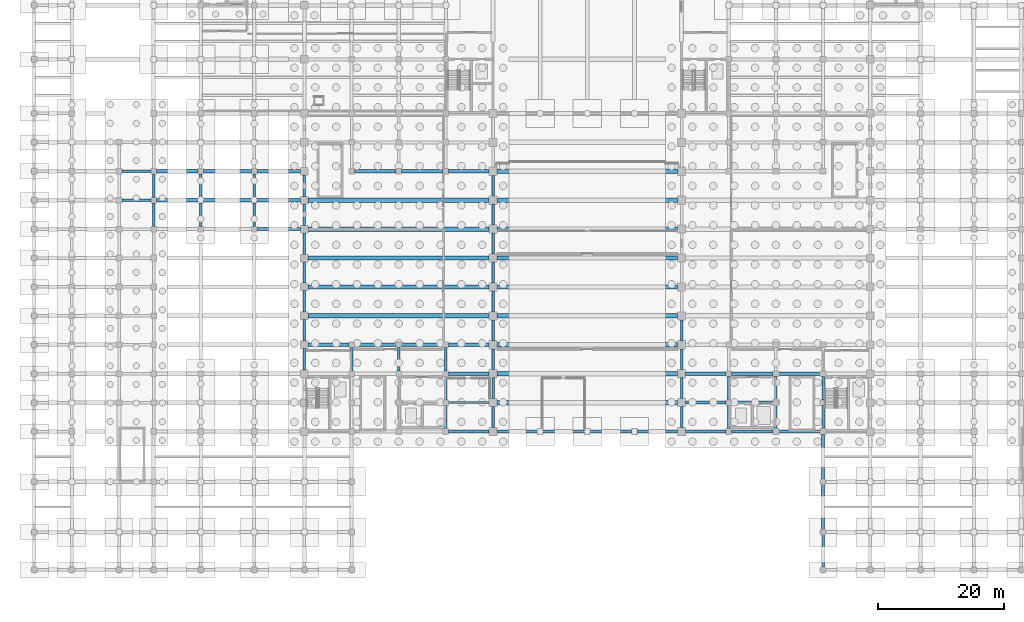
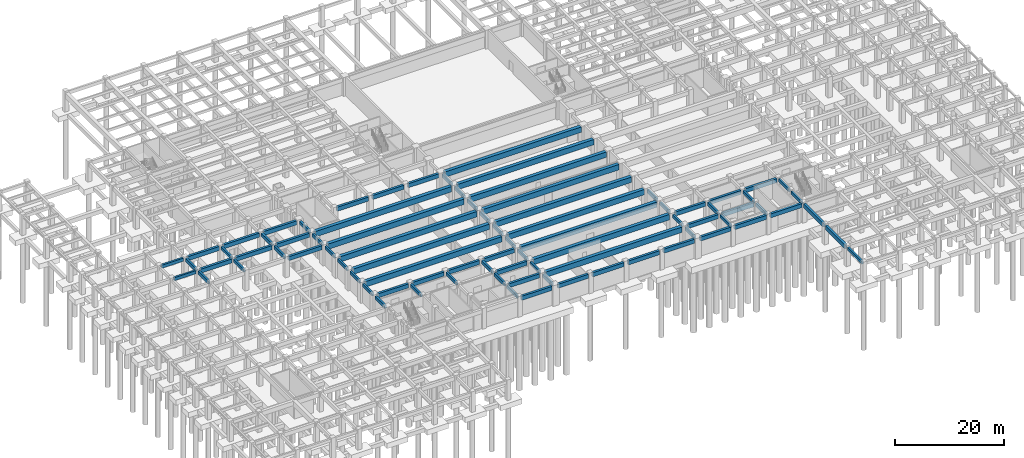
# One storey, part 14 of 32: 85 beams.
"""IFC4 building model written with IfcOpenShell, lengths in metres."""

from ifc_helpers import new_model, si_unit, direction, frame, origin, origin_2d, place, context, subcontext, project, spatial, rectangle, extrude, material, material_profile, profile_set, type_object, element, save


model = new_model("IFC4")

# Units and contexts
model_context = context("Model", 3, precision=1e-05, world=origin(), true_north=direction((0.0, 1.0)))
body_context = subcontext(model_context, "Body", "Model", "MODEL_VIEW")
ifc_project = project(units=[si_unit("LENGTHUNIT", "METRE"), si_unit("AREAUNIT", "SQUARE_METRE"), si_unit("VOLUMEUNIT", "CUBIC_METRE"), si_unit("PLANEANGLEUNIT", "RADIAN"), si_unit("MASSUNIT", "GRAM", prefix="KILO")], contexts=[model_context])

# Site, building, storey
site_placement = place(None, origin())
site = spatial("IfcSite", under=ifc_project, at=site_placement, CompositionType="ELEMENT")
building_placement = place(site_placement, origin())
building = spatial("IfcBuilding", under=site, at=building_placement, Name="Muzn Square Opera House", CompositionType="ELEMENT")
storey_placement = place(building_placement, frame((0.0, 0.0, -4.199951171875)))
storey = spatial("IfcBuildingStorey", under=building, at=storey_placement, Name="B1", CompositionType="ELEMENT", Elevation=-4.199951171875)

# Beams
ifc_material = material(Name="Concrete C40/50", Category="concrete")
ifc_material_profile_1 = material_profile(ifc_material, rectangle(XDim=0.39990234375, YDim=0.699951171875, at=origin_2d()), Name="RCB 400x700", Category="concrete")
ifc_profile_set_1 = profile_set([ifc_material_profile_1], Name="Concrete C40/50")
beam_type_1 = type_object("IfcBeamType", Name="Primary Girder 400x700", PredefinedType="BEAM", material=ifc_profile_set_1)
for number, where, z_axis, x_axis, name in (
    (1, (13.94189453125, 58.800048828125, 3.530029296875), (1.0, 0.0, 0.0), (0.0, 1.0, 0.0), "Primary Girder BM-B1-BM-PG700-139_588_186_588-158"),
    (2, (13.94189453125, 63.39990234375, 3.530029296875), (1.0, 0.0, 0.0), (0.0, 1.0, 0.0), "Primary Girder BM-B1-BM-PG700-139_634_186_634-173"),
):
    element("IfcBeam", number, at=place(storey_placement, frame(where, z_axis=z_axis, x_axis=x_axis)), inside=storey, type_object=beam_type_1, Name=name, PredefinedType="BEAM", context=body_context, shape_type="SweptSolid", body=[
        extrude(rectangle(XDim=0.39990234375, YDim=0.699951171875, at=origin_2d()), origin(), (0.0, 0.0, 1.0), 4.6162109375),
    ])
beam_1_placement = place(storey_placement, frame((19.0, 54.64208984375, 3.530029296875), z_axis=(0.0, 1.0, 0.0), x_axis=(-1.0, 0.0, 0.0)))
element("IfcBeam", 3, at=beam_1_placement, inside=storey, type_object=beam_type_1, Name="Primary Girder BM-B1-BM-PG700-190_546_190_584-343", PredefinedType="BEAM", context=body_context, shape_type="SweptSolid", body=[
    extrude(rectangle(XDim=0.39990234375, YDim=0.699951171875, at=origin_2d()), origin(), (0.0, 0.0, 1.0), 3.7158203125),
])
beam_2_placement = place(storey_placement, frame((19.0, 59.241943359375, 3.530029296875), z_axis=(0.0, 1.0, 0.0), x_axis=(-1.0, 0.0, 0.0)))
element("IfcBeam", 4, at=beam_2_placement, inside=storey, type_object=beam_type_1, Name="Primary Girder BM-B1-BM-PG700-190_592_190_630-344", PredefinedType="BEAM", context=body_context, shape_type="SweptSolid", body=[
    extrude(rectangle(XDim=0.39990234375, YDim=0.699951171875, at=origin_2d()), origin(), (0.0, 0.0, 1.0), 3.716064453125),
])
beam_3_placement = place(storey_placement, frame((26.5, 54.64208984375, 3.530029296875), z_axis=(0.0, 1.0, 0.0), x_axis=(-1.0, 0.0, 0.0)))
element("IfcBeam", 5, at=beam_3_placement, inside=storey, type_object=beam_type_1, Name="Primary Girder BM-B1-BM-PG700-265_546_265_584-355", PredefinedType="BEAM", context=body_context, shape_type="SweptSolid", body=[
    extrude(rectangle(XDim=0.39990234375, YDim=0.699951171875, at=origin_2d()), origin(), (0.0, 0.0, 1.0), 3.7158203125),
])
beam_4_placement = place(storey_placement, frame((26.5, 59.241943359375, 3.530029296875), z_axis=(0.0, 1.0, 0.0), x_axis=(-1.0, 0.0, 0.0)))
element("IfcBeam", 6, at=beam_4_placement, inside=storey, type_object=beam_type_1, Name="Primary Girder BM-B1-BM-PG700-265_592_265_630-356", PredefinedType="BEAM", context=body_context, shape_type="SweptSolid", body=[
    extrude(rectangle(XDim=0.39990234375, YDim=0.699951171875, at=origin_2d()), origin(), (0.0, 0.0, 1.0), 3.716064453125),
])
beam_5_placement = place(storey_placement, frame((35.0, 54.64208984375, 3.530029296875), z_axis=(0.0, 1.0, 0.0), x_axis=(-1.0, 0.0, 0.0)))
element("IfcBeam", 7, at=beam_5_placement, inside=storey, type_object=beam_type_1, Name="Primary Girder BM-B1-BM-PG700-350_546_350_584-368", PredefinedType="BEAM", context=body_context, shape_type="SweptSolid", body=[
    extrude(rectangle(XDim=0.39990234375, YDim=0.699951171875, at=origin_2d()), origin(), (0.0, 0.0, 1.0), 3.7158203125),
])
beam_6_placement = place(storey_placement, frame((35.0, 59.241943359375, 3.530029296875), z_axis=(0.0, 1.0, 0.0), x_axis=(-1.0, 0.0, 0.0)))
element("IfcBeam", 8, at=beam_6_placement, inside=storey, type_object=beam_type_1, Name="Primary Girder BM-B1-BM-PG700-350_592_350_630-369", PredefinedType="BEAM", context=body_context, shape_type="SweptSolid", body=[
    extrude(rectangle(XDim=0.39990234375, YDim=0.699951171875, at=origin_2d()), origin(), (0.0, 0.0, 1.0), 3.716064453125),
])
for number, where, z_axis, x_axis, name in (
    (9, (43.0, 31.7919921875, 3.530029296875), (0.0, 1.0, 0.0), (-1.0, 0.0, 0.0), "Primary Girder BM-B1-BM-PG700-430_318_430_352-381"),
    (10, (43.0, 36.39208984375, 3.530029296875), (0.0, 1.0, 0.0), (-1.0, 0.0, 0.0), "Primary Girder BM-B1-BM-PG700-430_364_430_398-382"),
    (11, (43.0, 40.991943359375, 3.530029296875), (0.0, 1.0, 0.0), (-1.0, 0.0, 0.0), "Primary Girder BM-B1-BM-PG700-430_410_430_444-383"),
    (12, (43.0, 45.592041015625, 3.530029296875), (0.0, 1.0, 0.0), (-1.0, 0.0, 0.0), "Primary Girder BM-B1-BM-PG700-430_456_430_490-384"),
    (13, (43.0, 50.19189453125, 3.530029296875), (0.0, 1.0, 0.0), (-1.0, 0.0, 0.0), "Primary Girder BM-B1-BM-PG700-430_502_430_536-385"),
    (14, (43.0, 54.7919921875, 3.530029296875), (0.0, 1.0, 0.0), (-1.0, 0.0, 0.0), "Primary Girder BM-B1-BM-PG700-430_548_430_582-386"),
    (15, (43.0, 59.39208984375, 3.530029296875), (0.0, 1.0, 0.0), (-1.0, 0.0, 0.0), "Primary Girder BM-B1-BM-PG700-430_594_430_628-387"),
):
    element("IfcBeam", number, at=place(storey_placement, frame(where, z_axis=z_axis, x_axis=x_axis)), inside=storey, type_object=beam_type_1, Name=name, PredefinedType="BEAM", context=body_context, shape_type="SweptSolid", body=[
        extrude(rectangle(XDim=0.39990234375, YDim=0.699951171875, at=origin_2d()), origin(), (0.0, 0.0, 1.0), 3.416015625),
    ])
for number, where, z_axis, x_axis, name in (
    (16, (50.5, 31.64208984375, 3.530029296875), (0.0, 1.0, 0.0), (-1.0, 0.0, 0.0), "Primary Girder BM-B1-BM-PG700-505_316_505_354-399"),
    (17, (58.0, 31.64208984375, 3.530029296875), (0.0, 1.0, 0.0), (-1.0, 0.0, 0.0), "Primary Girder BM-B1-BM-PG700-580_316_580_354-408"),
):
    element("IfcBeam", number, at=place(storey_placement, frame(where, z_axis=z_axis, x_axis=x_axis)), inside=storey, type_object=beam_type_1, Name=name, PredefinedType="BEAM", context=body_context, shape_type="SweptSolid", body=[
        extrude(rectangle(XDim=0.39990234375, YDim=0.699951171875, at=origin_2d()), origin(), (0.0, 0.0, 1.0), 3.7158203125),
    ])
for number, where, z_axis, x_axis, name in (
    (18, (65.5, 22.44189453125, 3.530029296875), (0.0, 1.0, 0.0), (-1.0, 0.0, 0.0), "Primary Girder BM-B1-BM-PG700-655_224_655_262-415"),
    (19, (65.5, 27.0419921875, 3.530029296875), (0.0, 1.0, 0.0), (-1.0, 0.0, 0.0), "Primary Girder BM-B1-BM-PG700-655_270_655_308-416"),
):
    element("IfcBeam", number, at=place(storey_placement, frame(where, z_axis=z_axis, x_axis=x_axis)), inside=storey, type_object=beam_type_1, Name=name, PredefinedType="BEAM", context=body_context, shape_type="SweptSolid", body=[
        extrude(rectangle(XDim=0.39990234375, YDim=0.699951171875, at=origin_2d()), origin(), (0.0, 0.0, 1.0), 3.716064453125),
    ])
beam_7_placement = place(storey_placement, frame((65.5, 31.64208984375, 3.530029296875), z_axis=(0.0, 1.0, 0.0), x_axis=(-1.0, 0.0, 0.0)))
element("IfcBeam", 20, at=beam_7_placement, inside=storey, type_object=beam_type_1, Name="Primary Girder BM-B1-BM-PG700-655_316_655_354-417", PredefinedType="BEAM", context=body_context, shape_type="SweptSolid", body=[
    extrude(rectangle(XDim=0.39990234375, YDim=0.699951171875, at=origin_2d()), origin(), (0.0, 0.0, 1.0), 3.7158203125),
])
beam_8_placement = place(storey_placement, frame((73.0, 22.64208984375, 3.530029296875), z_axis=(0.0, 1.0, 0.0), x_axis=(-1.0, 0.0, 0.0)))
element("IfcBeam", 21, at=beam_8_placement, inside=storey, type_object=beam_type_1, Name="Primary Girder BM-B1-BM-PG700-730_226_730_260-424", PredefinedType="BEAM", context=body_context, shape_type="SweptSolid", body=[
    extrude(rectangle(XDim=0.39990234375, YDim=0.699951171875, at=origin_2d()), origin(), (0.0, 0.0, 1.0), 3.31591796875),
])
beam_9_placement = place(storey_placement, frame((73.0, 27.241943359375, 3.530029296875), z_axis=(0.0, 1.0, 0.0), x_axis=(-1.0, 0.0, 0.0)))
element("IfcBeam", 22, at=beam_9_placement, inside=storey, type_object=beam_type_1, Name="Primary Girder BM-B1-BM-PG700-730_272_730_306-425", PredefinedType="BEAM", context=body_context, shape_type="SweptSolid", body=[
    extrude(rectangle(XDim=0.39990234375, YDim=0.699951171875, at=origin_2d()), origin(), (0.0, 0.0, 1.0), 3.316162109375),
])
beam_10_placement = place(storey_placement, frame((73.0, 31.842041015625, 3.530029296875), z_axis=(0.0, 1.0, 0.0), x_axis=(-1.0, 0.0, 0.0)))
element("IfcBeam", 23, at=beam_10_placement, inside=storey, type_object=beam_type_1, Name="Primary Girder BM-B1-BM-PG700-730_318_730_352-426", PredefinedType="BEAM", context=body_context, shape_type="SweptSolid", body=[
    extrude(rectangle(XDim=0.39990234375, YDim=0.699951171875, at=origin_2d()), origin(), (0.0, 0.0, 1.0), 3.31591796875),
])
beam_11_placement = place(storey_placement, frame((73.0, 36.44189453125, 3.530029296875), z_axis=(0.0, 1.0, 0.0), x_axis=(-1.0, 0.0, 0.0)))
element("IfcBeam", 24, at=beam_11_placement, inside=storey, type_object=beam_type_1, Name="Primary Girder BM-B1-BM-PG700-730_364_730_398-427", PredefinedType="BEAM", context=body_context, shape_type="SweptSolid", body=[
    extrude(rectangle(XDim=0.39990234375, YDim=0.699951171875, at=origin_2d()), origin(), (0.0, 0.0, 1.0), 3.316162109375),
])
for number, where, z_axis, x_axis, name in (
    (25, (73.0, 41.0419921875, 3.530029296875), (0.0, 1.0, 0.0), (-1.0, 0.0, 0.0), "Primary Girder BM-B1-BM-PG700-730_410_730_444-428"),
    (26, (73.0, 45.64208984375, 3.530029296875), (0.0, 1.0, 0.0), (-1.0, 0.0, 0.0), "Primary Girder BM-B1-BM-PG700-730_456_730_490-429"),
):
    element("IfcBeam", number, at=place(storey_placement, frame(where, z_axis=z_axis, x_axis=x_axis)), inside=storey, type_object=beam_type_1, Name=name, PredefinedType="BEAM", context=body_context, shape_type="SweptSolid", body=[
        extrude(rectangle(XDim=0.39990234375, YDim=0.699951171875, at=origin_2d()), origin(), (0.0, 0.0, 1.0), 3.31591796875),
    ])
beam_12_placement = place(storey_placement, frame((73.0, 50.241943359375, 3.530029296875), z_axis=(0.0, 1.0, 0.0), x_axis=(-1.0, 0.0, 0.0)))
element("IfcBeam", 27, at=beam_12_placement, inside=storey, type_object=beam_type_1, Name="Primary Girder BM-B1-BM-PG700-730_502_730_536-430", PredefinedType="BEAM", context=body_context, shape_type="SweptSolid", body=[
    extrude(rectangle(XDim=0.39990234375, YDim=0.699951171875, at=origin_2d()), origin(), (0.0, 0.0, 1.0), 3.316162109375),
])
beam_13_placement = place(storey_placement, frame((73.0, 54.842041015625, 3.530029296875), z_axis=(0.0, 1.0, 0.0), x_axis=(-1.0, 0.0, 0.0)))
element("IfcBeam", 28, at=beam_13_placement, inside=storey, type_object=beam_type_1, Name="Primary Girder BM-B1-BM-PG700-730_548_730_582-431", PredefinedType="BEAM", context=body_context, shape_type="SweptSolid", body=[
    extrude(rectangle(XDim=0.39990234375, YDim=0.699951171875, at=origin_2d()), origin(), (0.0, 0.0, 1.0), 3.31591796875),
])
beam_14_placement = place(storey_placement, frame((73.0, 59.44189453125, 3.530029296875), z_axis=(0.0, 1.0, 0.0), x_axis=(-1.0, 0.0, 0.0)))
element("IfcBeam", 29, at=beam_14_placement, inside=storey, type_object=beam_type_1, Name="Primary Girder BM-B1-BM-PG700-730_594_730_628-432", PredefinedType="BEAM", context=body_context, shape_type="SweptSolid", body=[
    extrude(rectangle(XDim=0.39990234375, YDim=0.699951171875, at=origin_2d()), origin(), (0.0, 0.0, 1.0), 3.316162109375),
])
beam_15_placement = place(storey_placement, frame((103.0, 22.64208984375, 3.530029296875), z_axis=(0.0, 1.0, 0.0), x_axis=(-1.0, 0.0, 0.0)))
element("IfcBeam", 30, at=beam_15_placement, inside=storey, type_object=beam_type_1, Name="Primary Girder BM-B1-BM-PG700-1030_226_1030_260-436", PredefinedType="BEAM", context=body_context, shape_type="SweptSolid", body=[
    extrude(rectangle(XDim=0.39990234375, YDim=0.699951171875, at=origin_2d()), origin(), (0.0, 0.0, 1.0), 3.31591796875),
])
beam_16_placement = place(storey_placement, frame((103.0, 27.241943359375, 3.530029296875), z_axis=(0.0, 1.0, 0.0), x_axis=(-1.0, 0.0, 0.0)))
element("IfcBeam", 31, at=beam_16_placement, inside=storey, type_object=beam_type_1, Name="Primary Girder BM-B1-BM-PG700-1030_272_1030_306-437", PredefinedType="BEAM", context=body_context, shape_type="SweptSolid", body=[
    extrude(rectangle(XDim=0.39990234375, YDim=0.699951171875, at=origin_2d()), origin(), (0.0, 0.0, 1.0), 3.316162109375),
])
beam_17_placement = place(storey_placement, frame((103.0, 31.842041015625, 3.530029296875), z_axis=(0.0, 1.0, 0.0), x_axis=(-1.0, 0.0, 0.0)))
element("IfcBeam", 32, at=beam_17_placement, inside=storey, type_object=beam_type_1, Name="Primary Girder BM-B1-BM-PG700-1030_318_1030_352-438", PredefinedType="BEAM", context=body_context, shape_type="SweptSolid", body=[
    extrude(rectangle(XDim=0.39990234375, YDim=0.699951171875, at=origin_2d()), origin(), (0.0, 0.0, 1.0), 3.31591796875),
])
beam_18_placement = place(storey_placement, frame((103.0, 36.44189453125, 3.530029296875), z_axis=(0.0, 1.0, 0.0), x_axis=(-1.0, 0.0, 0.0)))
element("IfcBeam", 33, at=beam_18_placement, inside=storey, type_object=beam_type_1, Name="Primary Girder BM-B1-BM-PG700-1030_364_1030_398-439", PredefinedType="BEAM", context=body_context, shape_type="SweptSolid", body=[
    extrude(rectangle(XDim=0.39990234375, YDim=0.699951171875, at=origin_2d()), origin(), (0.0, 0.0, 1.0), 3.316162109375),
])
for number, where, z_axis, x_axis, name in (
    (34, (110.5, 22.44189453125, 3.530029296875), (0.0, 1.0, 0.0), (-1.0, 0.0, 0.0), "Primary Girder BM-B1-BM-PG700-1105_224_1105_262-448"),
    (35, (110.5, 27.0419921875, 3.530029296875), (0.0, 1.0, 0.0), (-1.0, 0.0, 0.0), "Primary Girder BM-B1-BM-PG700-1105_270_1105_308-449"),
    (36, (118.0, 22.44189453125, 3.530029296875), (0.0, 1.0, 0.0), (-1.0, 0.0, 0.0), "Primary Girder BM-B1-BM-PG700-1180_224_1180_262-457"),
    (37, (118.0, 27.0419921875, 3.530029296875), (0.0, 1.0, 0.0), (-1.0, 0.0, 0.0), "Primary Girder BM-B1-BM-PG700-1180_270_1180_308-458"),
):
    element("IfcBeam", number, at=place(storey_placement, frame(where, z_axis=z_axis, x_axis=x_axis)), inside=storey, type_object=beam_type_1, Name=name, PredefinedType="BEAM", context=body_context, shape_type="SweptSolid", body=[
        extrude(rectangle(XDim=0.39990234375, YDim=0.699951171875, at=origin_2d()), origin(), (0.0, 0.0, 1.0), 3.716064453125),
    ])
beam_19_placement = place(storey_placement, frame((125.5, 0.4169921875, 3.530029296875), z_axis=(0.0, 1.0, 0.0), x_axis=(-1.0, 0.0, 0.0)))
element("IfcBeam", 38, at=beam_19_placement, inside=storey, type_object=beam_type_1, Name="Primary Girder BM-B1-BM-PG700-1255_4_1255_56-466", PredefinedType="BEAM", context=body_context, shape_type="SweptSolid", body=[
    extrude(rectangle(XDim=0.39990234375, YDim=0.699951171875, at=origin_2d()), origin(), (0.0, 0.0, 1.0), 5.166015625),
])
for number, where, z_axis, x_axis, name in (
    (39, (125.5, 22.44189453125, 3.530029296875), (0.0, 1.0, 0.0), (-1.0, 0.0, 0.0), "Primary Girder BM-B1-BM-PG700-1255_224_1255_262-469"),
    (40, (125.5, 27.0419921875, 3.530029296875), (0.0, 1.0, 0.0), (-1.0, 0.0, 0.0), "Primary Girder BM-B1-BM-PG700-1255_270_1255_308-470"),
):
    element("IfcBeam", number, at=place(storey_placement, frame(where, z_axis=z_axis, x_axis=x_axis)), inside=storey, type_object=beam_type_1, Name=name, PredefinedType="BEAM", context=body_context, shape_type="SweptSolid", body=[
        extrude(rectangle(XDim=0.39990234375, YDim=0.699951171875, at=origin_2d()), origin(), (0.0, 0.0, 1.0), 3.716064453125),
    ])
ifc_material_profile_2 = material_profile(ifc_material, rectangle(XDim=0.5, YDim=0.89990234375, at=origin_2d()), Name="RCB 500x900", Category="concrete")
ifc_profile_set_2 = profile_set([ifc_material_profile_2], Name="Concrete C40/50")
beam_type_2 = type_object("IfcBeamType", Name="Primary Girder 500x900", PredefinedType="BEAM", material=ifc_profile_set_2)
for number, where, z_axis, x_axis, name in (
    (41, (65.94189453125, 22.0, 3.429931640625), (1.0, 0.0, 0.0), (0.0, 1.0, 0.0), "Primary Girder BM-B1-BM-PG900-659_220_724_220-48"),
    (42, (73.64208984375, 22.0, 3.429931640625), (1.0, 0.0, 0.0), (0.0, 1.0, 0.0), "Primary Girder BM-B1-BM-PG900-736_220_801_220-49"),
):
    element("IfcBeam", number, at=place(storey_placement, frame(where, z_axis=z_axis, x_axis=x_axis)), inside=storey, type_object=beam_type_2, Name=name, PredefinedType="BEAM", context=body_context, shape_type="SweptSolid", body=[
        extrude(rectangle(XDim=0.5, YDim=0.89990234375, at=origin_2d()), origin(), (0.0, 0.0, 1.0), 6.416015625),
    ])
for number, where, z_axis, x_axis, name in (
    (43, (80.94189453125, 22.0, 3.429931640625), (1.0, 0.0, 0.0), (0.0, 1.0, 0.0), "Primary Girder BM-B1-BM-PG900-809_220_876_220-50"),
    (44, (88.44189453125, 22.0, 3.429931640625), (1.0, 0.0, 0.0), (0.0, 1.0, 0.0), "Primary Girder BM-B1-BM-PG900-884_220_951_220-51"),
):
    element("IfcBeam", number, at=place(storey_placement, frame(where, z_axis=z_axis, x_axis=x_axis)), inside=storey, type_object=beam_type_2, Name=name, PredefinedType="BEAM", context=body_context, shape_type="SweptSolid", body=[
        extrude(rectangle(XDim=0.5, YDim=0.89990234375, at=origin_2d()), origin(), (0.0, 0.0, 1.0), 6.6162109375),
    ])
for number, where, z_axis, x_axis, name in (
    (45, (95.94189453125, 22.0, 3.429931640625), (1.0, 0.0, 0.0), (0.0, 1.0, 0.0), "Primary Girder BM-B1-BM-PG900-959_220_1024_220-52"),
    (46, (103.64208984375, 22.0, 3.429931640625), (1.0, 0.0, 0.0), (0.0, 1.0, 0.0), "Primary Girder BM-B1-BM-PG900-1036_220_1101_220-53"),
):
    element("IfcBeam", number, at=place(storey_placement, frame(where, z_axis=z_axis, x_axis=x_axis)), inside=storey, type_object=beam_type_2, Name=name, PredefinedType="BEAM", context=body_context, shape_type="SweptSolid", body=[
        extrude(rectangle(XDim=0.5, YDim=0.89990234375, at=origin_2d()), origin(), (0.0, 0.0, 1.0), 6.416015625),
    ])
for number, where, z_axis, x_axis, name in (
    (47, (110.94189453125, 22.0, 3.429931640625), (1.0, 0.0, 0.0), (0.0, 1.0, 0.0), "Primary Girder BM-B1-BM-PG900-1109_220_1176_220-54"),
    (48, (118.44189453125, 22.0, 3.429931640625), (1.0, 0.0, 0.0), (0.0, 1.0, 0.0), "Primary Girder BM-B1-BM-PG900-1184_220_1251_220-55"),
):
    element("IfcBeam", number, at=place(storey_placement, frame(where, z_axis=z_axis, x_axis=x_axis)), inside=storey, type_object=beam_type_2, Name=name, PredefinedType="BEAM", context=body_context, shape_type="SweptSolid", body=[
        extrude(rectangle(XDim=0.5, YDim=0.89990234375, at=origin_2d()), origin(), (0.0, 0.0, 1.0), 6.6162109375),
    ])
for number, where, z_axis, x_axis, name in (
    (49, (65.94189453125, 26.60009765625, 3.429931640625), (1.0, 0.0, 0.0), (0.0, 1.0, 0.0), "Primary Girder BM-B1-BM-PG900-659_266_724_266-68"),
    (50, (103.64208984375, 26.60009765625, 3.429931640625), (1.0, 0.0, 0.0), (0.0, 1.0, 0.0), "Primary Girder BM-B1-BM-PG900-1036_266_1101_266-70"),
):
    element("IfcBeam", number, at=place(storey_placement, frame(where, z_axis=z_axis, x_axis=x_axis)), inside=storey, type_object=beam_type_2, Name=name, PredefinedType="BEAM", context=body_context, shape_type="SweptSolid", body=[
        extrude(rectangle(XDim=0.5, YDim=0.89990234375, at=origin_2d()), origin(), (0.0, 0.0, 1.0), 6.416015625),
    ])
beam_20_placement = place(storey_placement, frame((110.94189453125, 26.60009765625, 3.429931640625), z_axis=(1.0, 0.0, 0.0), x_axis=(0.0, 1.0, 0.0)))
element("IfcBeam", 51, at=beam_20_placement, inside=storey, type_object=beam_type_2, Name="Primary Girder BM-B1-BM-PG900-1109_266_1176_266-71", PredefinedType="BEAM", context=body_context, shape_type="SweptSolid", body=[
    extrude(rectangle(XDim=0.5, YDim=0.89990234375, at=origin_2d()), origin(), (0.0, 0.0, 1.0), 6.6162109375),
])
for number, where, z_axis, x_axis, name in (
    (52, (65.94189453125, 31.199951171875, 3.429931640625), (1.0, 0.0, 0.0), (0.0, 1.0, 0.0), "Primary Girder BM-B1-BM-PG900-659_312_724_312-87"),
    (53, (103.64208984375, 31.199951171875, 3.429931640625), (1.0, 0.0, 0.0), (0.0, 1.0, 0.0), "Primary Girder BM-B1-BM-PG900-1036_312_1101_312-89"),
):
    element("IfcBeam", number, at=place(storey_placement, frame(where, z_axis=z_axis, x_axis=x_axis)), inside=storey, type_object=beam_type_2, Name=name, PredefinedType="BEAM", context=body_context, shape_type="SweptSolid", body=[
        extrude(rectangle(XDim=0.5, YDim=0.89990234375, at=origin_2d()), origin(), (0.0, 0.0, 1.0), 6.416015625),
    ])
for number, where, z_axis, x_axis, name in (
    (54, (110.94189453125, 31.199951171875, 3.429931640625), (1.0, 0.0, 0.0), (0.0, 1.0, 0.0), "Primary Girder BM-B1-BM-PG900-1109_312_1176_312-90"),
    (55, (118.44189453125, 31.199951171875, 3.429931640625), (1.0, 0.0, 0.0), (0.0, 1.0, 0.0), "Primary Girder BM-B1-BM-PG900-1184_312_1251_312-91"),
):
    element("IfcBeam", number, at=place(storey_placement, frame(where, z_axis=z_axis, x_axis=x_axis)), inside=storey, type_object=beam_type_2, Name=name, PredefinedType="BEAM", context=body_context, shape_type="SweptSolid", body=[
        extrude(rectangle(XDim=0.5, YDim=0.89990234375, at=origin_2d()), origin(), (0.0, 0.0, 1.0), 6.6162109375),
    ])
beam_21_placement = place(storey_placement, frame((43.592041015625, 35.800048828125, 3.429931640625), z_axis=(1.0, 0.0, 0.0), x_axis=(0.0, 1.0, 0.0)))
element("IfcBeam", 56, at=beam_21_placement, inside=storey, type_object=beam_type_2, Name="Primary Girder BM-B1-BM-PG900-436_358_501_358-102", PredefinedType="BEAM", context=body_context, shape_type="SweptSolid", body=[
    extrude(rectangle(XDim=0.5, YDim=0.89990234375, at=origin_2d()), origin(), (0.0, 0.0, 1.0), 6.466064453125),
])
for number, where, z_axis, x_axis, name in (
    (57, (50.94189453125, 35.800048828125, 3.429931640625), (1.0, 0.0, 0.0), (0.0, 1.0, 0.0), "Primary Girder BM-B1-BM-PG900-509_358_576_358-103"),
    (58, (58.44189453125, 35.800048828125, 3.429931640625), (1.0, 0.0, 0.0), (0.0, 1.0, 0.0), "Primary Girder BM-B1-BM-PG900-584_358_651_358-104"),
):
    element("IfcBeam", number, at=place(storey_placement, frame(where, z_axis=z_axis, x_axis=x_axis)), inside=storey, type_object=beam_type_2, Name=name, PredefinedType="BEAM", context=body_context, shape_type="SweptSolid", body=[
        extrude(rectangle(XDim=0.5, YDim=0.89990234375, at=origin_2d()), origin(), (0.0, 0.0, 1.0), 6.6162109375),
    ])
beam_22_placement = place(storey_placement, frame((65.94189453125, 35.800048828125, 3.429931640625), z_axis=(1.0, 0.0, 0.0), x_axis=(0.0, 1.0, 0.0)))
element("IfcBeam", 59, at=beam_22_placement, inside=storey, type_object=beam_type_2, Name="Primary Girder BM-B1-BM-PG900-659_358_724_358-105", PredefinedType="BEAM", context=body_context, shape_type="SweptSolid", body=[
    extrude(rectangle(XDim=0.5, YDim=0.89990234375, at=origin_2d()), origin(), (0.0, 0.0, 1.0), 6.416015625),
])
beam_23_placement = place(storey_placement, frame((35.44189453125, 54.199951171875, 3.429931640625), z_axis=(1.0, 0.0, 0.0), x_axis=(0.0, 1.0, 0.0)))
element("IfcBeam", 60, at=beam_23_placement, inside=storey, type_object=beam_type_2, Name="Primary Girder BM-B1-BM-PG900-354_542_424_542-146", PredefinedType="BEAM", context=body_context, shape_type="SweptSolid", body=[
    extrude(rectangle(XDim=0.5, YDim=0.89990234375, at=origin_2d()), origin(), (0.0, 0.0, 1.0), 6.966064453125),
])
beam_24_placement = place(storey_placement, frame((19.44189453125, 58.800048828125, 3.429931640625), z_axis=(1.0, 0.0, 0.0), x_axis=(0.0, 1.0, 0.0)))
element("IfcBeam", 61, at=beam_24_placement, inside=storey, type_object=beam_type_2, Name="Primary Girder BM-B1-BM-PG900-194_588_261_588-159", PredefinedType="BEAM", context=body_context, shape_type="SweptSolid", body=[
    extrude(rectangle(XDim=0.5, YDim=0.89990234375, at=origin_2d()), origin(), (0.0, 0.0, 1.0), 6.6162109375),
])
beam_25_placement = place(storey_placement, frame((26.94189453125, 58.800048828125, 3.429931640625), z_axis=(1.0, 0.0, 0.0), x_axis=(0.0, 1.0, 0.0)))
element("IfcBeam", 62, at=beam_25_placement, inside=storey, type_object=beam_type_2, Name="Primary Girder BM-B1-BM-PG900-269_588_346_588-160", PredefinedType="BEAM", context=body_context, shape_type="SweptSolid", body=[
    extrude(rectangle(XDim=0.5, YDim=0.89990234375, at=origin_2d()), origin(), (0.0, 0.0, 1.0), 7.6162109375),
])
beam_26_placement = place(storey_placement, frame((35.44189453125, 58.800048828125, 3.429931640625), z_axis=(1.0, 0.0, 0.0), x_axis=(0.0, 1.0, 0.0)))
element("IfcBeam", 63, at=beam_26_placement, inside=storey, type_object=beam_type_2, Name="Primary Girder BM-B1-BM-PG900-354_588_424_588-161", PredefinedType="BEAM", context=body_context, shape_type="SweptSolid", body=[
    extrude(rectangle(XDim=0.5, YDim=0.89990234375, at=origin_2d()), origin(), (0.0, 0.0, 1.0), 6.966064453125),
])
beam_27_placement = place(storey_placement, frame((19.44189453125, 63.39990234375, 3.429931640625), z_axis=(1.0, 0.0, 0.0), x_axis=(0.0, 1.0, 0.0)))
element("IfcBeam", 64, at=beam_27_placement, inside=storey, type_object=beam_type_2, Name="Primary Girder BM-B1-BM-PG900-194_634_261_634-174", PredefinedType="BEAM", context=body_context, shape_type="SweptSolid", body=[
    extrude(rectangle(XDim=0.5, YDim=0.89990234375, at=origin_2d()), origin(), (0.0, 0.0, 1.0), 6.6162109375),
])
beam_28_placement = place(storey_placement, frame((26.94189453125, 63.39990234375, 3.429931640625), z_axis=(1.0, 0.0, 0.0), x_axis=(0.0, 1.0, 0.0)))
element("IfcBeam", 65, at=beam_28_placement, inside=storey, type_object=beam_type_2, Name="Primary Girder BM-B1-BM-PG900-269_634_346_634-175", PredefinedType="BEAM", context=body_context, shape_type="SweptSolid", body=[
    extrude(rectangle(XDim=0.5, YDim=0.89990234375, at=origin_2d()), origin(), (0.0, 0.0, 1.0), 7.6162109375),
])
beam_29_placement = place(storey_placement, frame((35.44189453125, 63.39990234375, 3.429931640625), z_axis=(1.0, 0.0, 0.0), x_axis=(0.0, 1.0, 0.0)))
element("IfcBeam", 66, at=beam_29_placement, inside=storey, type_object=beam_type_2, Name="Primary Girder BM-B1-BM-PG900-354_634_424_634-176", PredefinedType="BEAM", context=body_context, shape_type="SweptSolid", body=[
    extrude(rectangle(XDim=0.5, YDim=0.89990234375, at=origin_2d()), origin(), (0.0, 0.0, 1.0), 6.966064453125),
])
for number, where, z_axis, x_axis, name in (
    (67, (50.94189453125, 63.39990234375, 3.429931640625), (1.0, 0.0, 0.0), (0.0, 1.0, 0.0), "Primary Girder BM-B1-BM-PG900-509_634_576_634-177"),
    (68, (58.44189453125, 63.39990234375, 3.429931640625), (1.0, 0.0, 0.0), (0.0, 1.0, 0.0), "Primary Girder BM-B1-BM-PG900-584_634_651_634-178"),
):
    element("IfcBeam", number, at=place(storey_placement, frame(where, z_axis=z_axis, x_axis=x_axis)), inside=storey, type_object=beam_type_2, Name=name, PredefinedType="BEAM", context=body_context, shape_type="SweptSolid", body=[
        extrude(rectangle(XDim=0.5, YDim=0.89990234375, at=origin_2d()), origin(), (0.0, 0.0, 1.0), 6.6162109375),
    ])
beam_30_placement = place(storey_placement, frame((65.94189453125, 63.39990234375, 3.429931640625), z_axis=(1.0, 0.0, 0.0), x_axis=(0.0, 1.0, 0.0)))
element("IfcBeam", 69, at=beam_30_placement, inside=storey, type_object=beam_type_2, Name="Primary Girder BM-B1-BM-PG900-659_634_724_634-179", PredefinedType="BEAM", context=body_context, shape_type="SweptSolid", body=[
    extrude(rectangle(XDim=0.5, YDim=0.89990234375, at=origin_2d()), origin(), (0.0, 0.0, 1.0), 6.416015625),
])
beam_31_placement = place(storey_placement, frame((125.5, 6.4169921875, 3.429931640625), z_axis=(0.0, 1.0, 0.0), x_axis=(-1.0, 0.0, 0.0)))
element("IfcBeam", 70, at=beam_31_placement, inside=storey, type_object=beam_type_2, Name="Primary Girder BM-B1-BM-PG900-1255_64_1255_136-467", PredefinedType="BEAM", context=body_context, shape_type="SweptSolid", body=[
    extrude(rectangle(XDim=0.5, YDim=0.89990234375, at=origin_2d()), origin(), (0.0, 0.0, 1.0), 7.166015625),
])
beam_32_placement = place(storey_placement, frame((125.5, 14.4169921875, 3.429931640625), z_axis=(0.0, 1.0, 0.0), x_axis=(-1.0, 0.0, 0.0)))
element("IfcBeam", 71, at=beam_32_placement, inside=storey, type_object=beam_type_2, Name="Primary Girder BM-B1-BM-PG900-1255_144_1255_216-468", PredefinedType="BEAM", context=body_context, shape_type="SweptSolid", body=[
    extrude(rectangle(XDim=0.5, YDim=0.89990234375, at=origin_2d()), origin(), (0.0, 0.0, 1.0), 7.14111328125),
])
ifc_material_profile_3 = material_profile(ifc_material, rectangle(XDim=0.699951171875, YDim=1.199951171875, at=origin_2d()), Name="RCB 700x1200", Category="concrete")
ifc_profile_set_3 = profile_set([ifc_material_profile_3], Name="Concrete C40/50")
beam_type_3 = type_object("IfcBeamType", Name="Primary Girder 700x1200", PredefinedType="BEAM", material=ifc_profile_set_3)
for number, where, z_axis, x_axis, name in (
    (72, (73.64208984375, 26.60009765625, 3.280029296875), (1.0, 0.0, 0.0), (0.0, 1.0, 0.0), "Primary Girder BM-B1-BM-PG1200-736_266_1024_266-69"),
    (73, (73.64208984375, 31.199951171875, 3.280029296875), (1.0, 0.0, 0.0), (0.0, 1.0, 0.0), "Primary Girder BM-B1-BM-PG1200-736_312_1024_312-88"),
    (74, (73.64208984375, 35.800048828125, 3.280029296875), (1.0, 0.0, 0.0), (0.0, 1.0, 0.0), "Primary Girder BM-B1-BM-PG1200-736_358_1024_358-106"),
):
    element("IfcBeam", number, at=place(storey_placement, frame(where, z_axis=z_axis, x_axis=x_axis)), inside=storey, type_object=beam_type_3, Name=name, PredefinedType="BEAM", context=body_context, shape_type="SweptSolid", body=[
        extrude(rectangle(XDim=0.699951171875, YDim=1.199951171875, at=origin_2d()), origin(), (0.0, 0.0, 1.0), 28.7158203125),
    ])
beam_33_placement = place(storey_placement, frame((43.592041015625, 40.39990234375, 3.280029296875), z_axis=(1.0, 0.0, 0.0), x_axis=(0.0, 1.0, 0.0)))
element("IfcBeam", 75, at=beam_33_placement, inside=storey, type_object=beam_type_3, Name="Primary Girder BM-B1-BM-PG1200-436_404_724_404-117", PredefinedType="BEAM", context=body_context, shape_type="SweptSolid", body=[
    extrude(rectangle(XDim=0.699951171875, YDim=1.199951171875, at=origin_2d()), origin(), (0.0, 0.0, 1.0), 28.765869140625),
])
beam_34_placement = place(storey_placement, frame((73.64208984375, 40.39990234375, 3.280029296875), z_axis=(1.0, 0.0, 0.0), x_axis=(0.0, 1.0, 0.0)))
element("IfcBeam", 76, at=beam_34_placement, inside=storey, type_object=beam_type_3, Name="Primary Girder BM-B1-BM-PG1200-736_404_1024_404-118", PredefinedType="BEAM", context=body_context, shape_type="SweptSolid", body=[
    extrude(rectangle(XDim=0.699951171875, YDim=1.199951171875, at=origin_2d()), origin(), (0.0, 0.0, 1.0), 28.7158203125),
])
beam_35_placement = place(storey_placement, frame((43.592041015625, 45.0, 3.280029296875), z_axis=(1.0, 0.0, 0.0), x_axis=(0.0, 1.0, 0.0)))
element("IfcBeam", 77, at=beam_35_placement, inside=storey, type_object=beam_type_3, Name="Primary Girder BM-B1-BM-PG1200-436_450_724_450-126", PredefinedType="BEAM", context=body_context, shape_type="SweptSolid", body=[
    extrude(rectangle(XDim=0.699951171875, YDim=1.199951171875, at=origin_2d()), origin(), (0.0, 0.0, 1.0), 28.765869140625),
])
beam_36_placement = place(storey_placement, frame((73.64208984375, 45.0, 3.280029296875), z_axis=(1.0, 0.0, 0.0), x_axis=(0.0, 1.0, 0.0)))
element("IfcBeam", 78, at=beam_36_placement, inside=storey, type_object=beam_type_3, Name="Primary Girder BM-B1-BM-PG1200-736_450_1024_450-127", PredefinedType="BEAM", context=body_context, shape_type="SweptSolid", body=[
    extrude(rectangle(XDim=0.699951171875, YDim=1.199951171875, at=origin_2d()), origin(), (0.0, 0.0, 1.0), 28.7158203125),
])
beam_37_placement = place(storey_placement, frame((43.592041015625, 49.60009765625, 3.280029296875), z_axis=(1.0, 0.0, 0.0), x_axis=(0.0, 1.0, 0.0)))
element("IfcBeam", 79, at=beam_37_placement, inside=storey, type_object=beam_type_3, Name="Primary Girder BM-B1-BM-PG1200-436_496_724_496-135", PredefinedType="BEAM", context=body_context, shape_type="SweptSolid", body=[
    extrude(rectangle(XDim=0.699951171875, YDim=1.199951171875, at=origin_2d()), origin(), (0.0, 0.0, 1.0), 28.765869140625),
])
beam_38_placement = place(storey_placement, frame((73.64208984375, 49.60009765625, 3.280029296875), z_axis=(1.0, 0.0, 0.0), x_axis=(0.0, 1.0, 0.0)))
element("IfcBeam", 80, at=beam_38_placement, inside=storey, type_object=beam_type_3, Name="Primary Girder BM-B1-BM-PG1200-736_496_1024_496-136", PredefinedType="BEAM", context=body_context, shape_type="SweptSolid", body=[
    extrude(rectangle(XDim=0.699951171875, YDim=1.199951171875, at=origin_2d()), origin(), (0.0, 0.0, 1.0), 28.7158203125),
])
beam_39_placement = place(storey_placement, frame((43.592041015625, 54.199951171875, 3.280029296875), z_axis=(1.0, 0.0, 0.0), x_axis=(0.0, 1.0, 0.0)))
element("IfcBeam", 81, at=beam_39_placement, inside=storey, type_object=beam_type_3, Name="Primary Girder BM-B1-BM-PG1200-436_542_724_542-147", PredefinedType="BEAM", context=body_context, shape_type="SweptSolid", body=[
    extrude(rectangle(XDim=0.699951171875, YDim=1.199951171875, at=origin_2d()), origin(), (0.0, 0.0, 1.0), 28.765869140625),
])
beam_40_placement = place(storey_placement, frame((73.64208984375, 54.199951171875, 3.280029296875), z_axis=(1.0, 0.0, 0.0), x_axis=(0.0, 1.0, 0.0)))
element("IfcBeam", 82, at=beam_40_placement, inside=storey, type_object=beam_type_3, Name="Primary Girder BM-B1-BM-PG1200-736_542_1024_542-148", PredefinedType="BEAM", context=body_context, shape_type="SweptSolid", body=[
    extrude(rectangle(XDim=0.699951171875, YDim=1.199951171875, at=origin_2d()), origin(), (0.0, 0.0, 1.0), 28.7158203125),
])
beam_41_placement = place(storey_placement, frame((43.592041015625, 58.800048828125, 3.280029296875), z_axis=(1.0, 0.0, 0.0), x_axis=(0.0, 1.0, 0.0)))
element("IfcBeam", 83, at=beam_41_placement, inside=storey, type_object=beam_type_3, Name="Primary Girder BM-B1-BM-PG1200-436_588_724_588-162", PredefinedType="BEAM", context=body_context, shape_type="SweptSolid", body=[
    extrude(rectangle(XDim=0.699951171875, YDim=1.199951171875, at=origin_2d()), origin(), (0.0, 0.0, 1.0), 28.765869140625),
])
for number, where, z_axis, x_axis, name in (
    (84, (73.64208984375, 58.800048828125, 3.280029296875), (1.0, 0.0, 0.0), (0.0, 1.0, 0.0), "Primary Girder BM-B1-BM-PG1200-736_588_1024_588-163"),
    (85, (73.64208984375, 63.39990234375, 3.280029296875), (1.0, 0.0, 0.0), (0.0, 1.0, 0.0), "Primary Girder BM-B1-BM-PG1200-736_634_1024_634-180"),
):
    element("IfcBeam", number, at=place(storey_placement, frame(where, z_axis=z_axis, x_axis=x_axis)), inside=storey, type_object=beam_type_3, Name=name, PredefinedType="BEAM", context=body_context, shape_type="SweptSolid", body=[
        extrude(rectangle(XDim=0.699951171875, YDim=1.199951171875, at=origin_2d()), origin(), (0.0, 0.0, 1.0), 28.7158203125),
    ])

save(model, "model.ifc")
